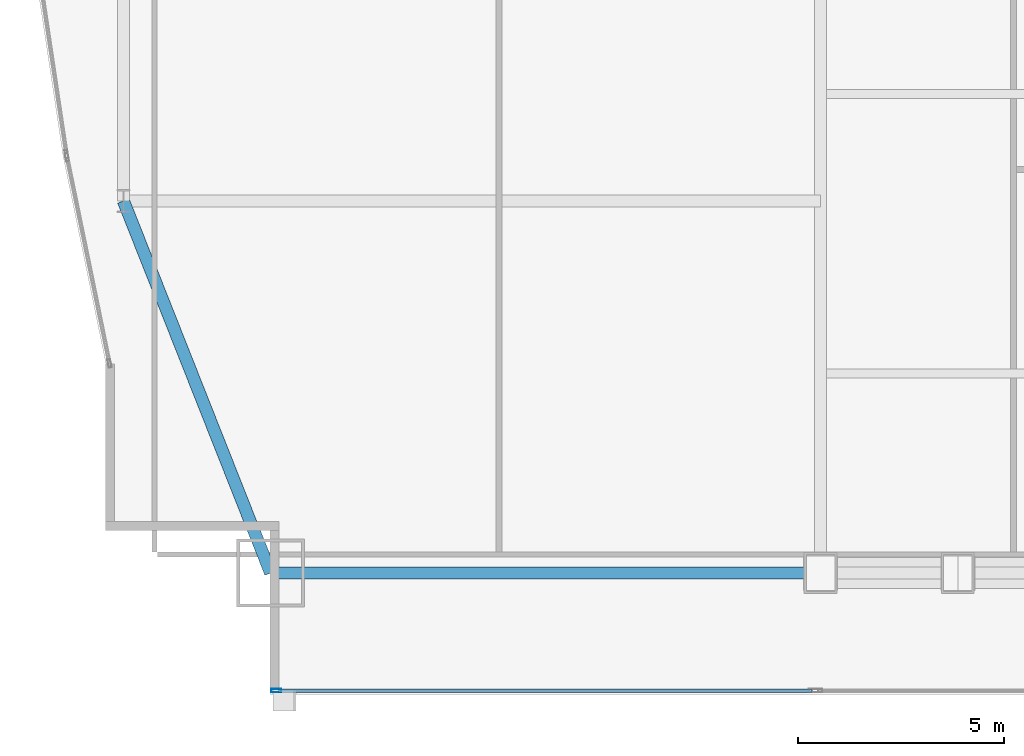
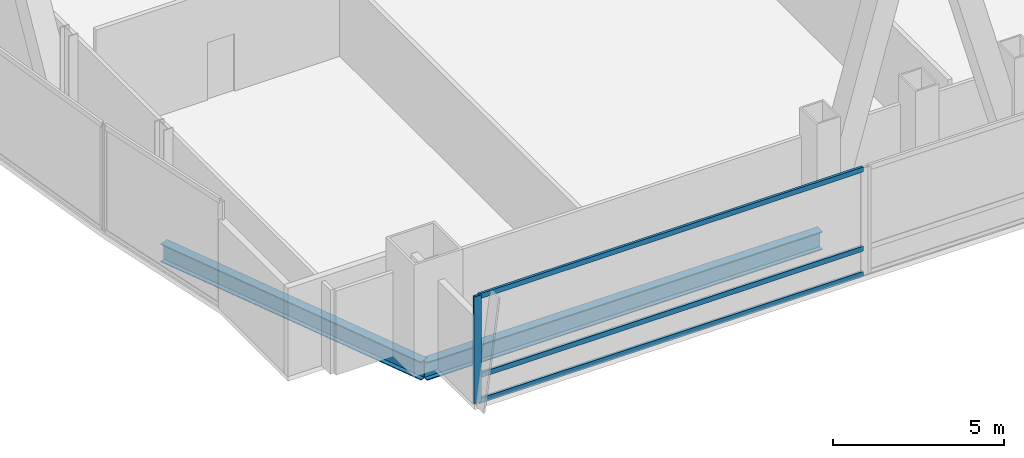
# One storey, part 5 of 36: 4 members, 2 beams, 1 element without a shape of its own.
"""IFC4 building model written with IfcOpenShell, lengths in metres."""

from ifc_helpers import new_model, si_unit, direction, frame, origin, origin_2d, place, context, subcontext, project, spatial, hollow_rectangle, i_section, extrude, material, material_profile, profile_set, type_object, element, aggregate, save


model = new_model("IFC4")

# Units and contexts
model_context = context("Model", 3, precision=1e-05, world=origin(), true_north=direction((0.0, 1.0)))
body_context = subcontext(model_context, "Body", "Model", "MODEL_VIEW")
ifc_project = project(units=[si_unit("LENGTHUNIT", "METRE"), si_unit("AREAUNIT", "SQUARE_METRE"), si_unit("VOLUMEUNIT", "CUBIC_METRE"), si_unit("PLANEANGLEUNIT", "RADIAN"), si_unit("MASSUNIT", "GRAM", prefix="KILO")], contexts=[model_context])

# Site, building, storey
site_placement = place(None, origin())
site = spatial("IfcSite", under=ifc_project, at=site_placement, CompositionType="ELEMENT")
building_placement = place(site_placement, origin())
building = spatial("IfcBuilding", under=site, at=building_placement, Name="Khoronbel Lancet Exchange", CompositionType="ELEMENT")
storey_placement = place(building_placement, frame((0.0, 0.0, 49.800048828125)))
storey = spatial("IfcBuildingStorey", under=building, at=storey_placement, Name="L11", CompositionType="ELEMENT", Elevation=49.800048828125)

# Beams
ifc_material_1 = material(Name="Steel S355", Category="steel")
ifc_material_profile_1 = material_profile(ifc_material_1, i_section(OverallWidth=0.300048828125, OverallDepth=0.64990234375, WebThickness=0.01611328125, FlangeThickness=0.031005859375, at=origin_2d()), Name="HEB 650")
ifc_profile_set_1 = profile_set([ifc_material_profile_1], Name="Steel S355")
beam_type = type_object("IfcBeamType", Name="BM-BSP1", PredefinedType="SPANDREL", material=ifc_profile_set_1)
beam_1_placement = place(storey_placement, frame((4.85009765625, 10.14990234375, -0.505126953125), z_axis=(1.0, 0.0, 0.0), x_axis=(0.0, 1.0, 0.0)))
element("IfcBeam", 1, at=beam_1_placement, inside=storey, type_object=beam_type, Name="Level L11 perimeter spandrel beam SP01", PredefinedType="SPANDREL", context=body_context, shape_type="SweptSolid", body=[
    extrude(i_section(OverallWidth=0.300048828125, OverallDepth=0.64990234375, WebThickness=0.01611328125, FlangeThickness=0.031005859375, at=origin_2d()), origin(), (0.0, 0.0, 1.0), 13.375),
])
beam_2_placement = place(storey_placement, frame((1.27001953125, 19.199951171875, -0.505126953125), z_axis=(0.367850095026, -0.92988510451, 0.0), x_axis=(0.92988510451, 0.367850095026, 0.0)))
element("IfcBeam", 2, at=beam_2_placement, inside=storey, type_object=beam_type, Name="Level L11 perimeter spandrel beam SP21", PredefinedType="SPANDREL", context=body_context, shape_type="SweptSolid", body=[
    extrude(i_section(OverallWidth=0.300048828125, OverallDepth=0.64990234375, WebThickness=0.01611328125, FlangeThickness=0.031005859375, at=origin_2d()), origin(), (0.0, 0.0, 1.0), 9.732421875),
])

# Curtain wall, members
ifc_material_2 = material(Name="Low-E Solar Control Insulating Glass", Category="glass")
curtain_wall_type = type_object("IfcCurtainWallType", Name="CW-1", PredefinedType="NOTDEFINED", material=ifc_material_2)
curtain_wall_placement = place(storey_placement, origin())
curtain_wall = element("IfcCurtainWall", 3, at=curtain_wall_placement, inside=storey, type_object=curtain_wall_type, Name="Unitised curtain wall CW-L11-SWV", PredefinedType="NOTDEFINED")
ifc_material_3 = material(Name="Bronze-Anodised Aluminium 6063-T6", Category="aluminium")
ifc_material_profile_2 = material_profile(ifc_material_3, hollow_rectangle(XDim=0.0849609375, YDim=0.239990234375, WallThickness=0.006103515625, at=origin_2d()), Name="ALU MULLION 85x240")
ifc_profile_set_2 = profile_set([ifc_material_profile_2], Name="Bronze-Anodised Aluminium 6063-T6")
member_type_1 = type_object("IfcMemberType", Name="MEM-CWM1", PredefinedType="MULLION", material=ifc_profile_set_2)
member_1_placement = place(storey_placement, frame((4.982421875, 7.2900390625, 0.0), z_axis=(0.0, 0.0, 1.0), x_axis=(0.0, 1.0, 0.0)))
member_1 = element("IfcMember", 4, at=member_1_placement, type_object=member_type_1, Name="CW1 mullion 1", PredefinedType="MULLION", context=body_context, shape_type="SweptSolid", body=[
    extrude(hollow_rectangle(XDim=0.0849609375, YDim=0.239990234375, WallThickness=0.006103515625, at=origin_2d()), origin(), (0.0, 0.0, 1.0), 3.820068359375),
])
ifc_material_profile_3 = material_profile(ifc_material_3, hollow_rectangle(XDim=0.0849609375, YDim=0.179931640625, WallThickness=0.0048828125, at=origin_2d()), Name="ALU TRANSOM 85x180")
ifc_profile_set_3 = profile_set([ifc_material_profile_3], Name="Bronze-Anodised Aluminium 6063-T6")
member_type_2 = type_object("IfcMemberType", Name="MEM-CWT1", PredefinedType="USERDEFINED", material=ifc_profile_set_3)
member_2_placement = place(storey_placement, frame((5.02490234375, 7.2900390625, 0.04248046875), z_axis=(1.0, 0.0, 0.0), x_axis=(0.0, 1.0, 0.0)))
member_2 = element("IfcMember", 5, at=member_2_placement, type_object=member_type_2, Name="CW1 transom 1.1", ObjectType="TRANSOM", PredefinedType="USERDEFINED", context=body_context, shape_type="SweptSolid", body=[
    extrude(hollow_rectangle(XDim=0.0849609375, YDim=0.179931640625, WallThickness=0.0048828125, at=origin_2d()), origin(), (0.0, 0.0, 1.0), 12.989990234375),
])
member_3_placement = place(storey_placement, frame((5.02490234375, 7.2900390625, 0.949951171875), z_axis=(1.0, 0.0, 0.0), x_axis=(0.0, 1.0, 0.0)))
member_3 = element("IfcMember", 6, at=member_3_placement, type_object=member_type_2, Name="CW1 transom 1.2", ObjectType="TRANSOM", PredefinedType="USERDEFINED", context=body_context, shape_type="SweptSolid", body=[
    extrude(hollow_rectangle(XDim=0.0849609375, YDim=0.179931640625, WallThickness=0.0048828125, at=origin_2d()), origin(), (0.0, 0.0, 1.0), 12.989990234375),
])
member_4_placement = place(storey_placement, frame((5.02490234375, 7.2900390625, 3.77734375), z_axis=(1.0, 0.0, 0.0), x_axis=(0.0, 1.0, 0.0)))
member_4 = element("IfcMember", 7, at=member_4_placement, type_object=member_type_2, Name="CW1 transom 1.3", ObjectType="TRANSOM", PredefinedType="USERDEFINED", context=body_context, shape_type="SweptSolid", body=[
    extrude(hollow_rectangle(XDim=0.0849609375, YDim=0.179931640625, WallThickness=0.0048828125, at=origin_2d()), origin(), (0.0, 0.0, 1.0), 12.989990234375),
])
aggregate(curtain_wall, [member_1, member_2, member_3, member_4])

save(model, "model.ifc")
